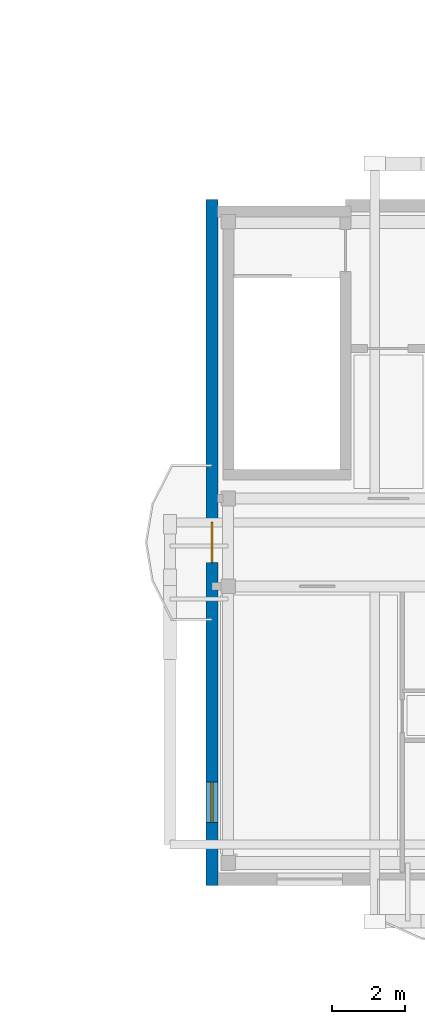
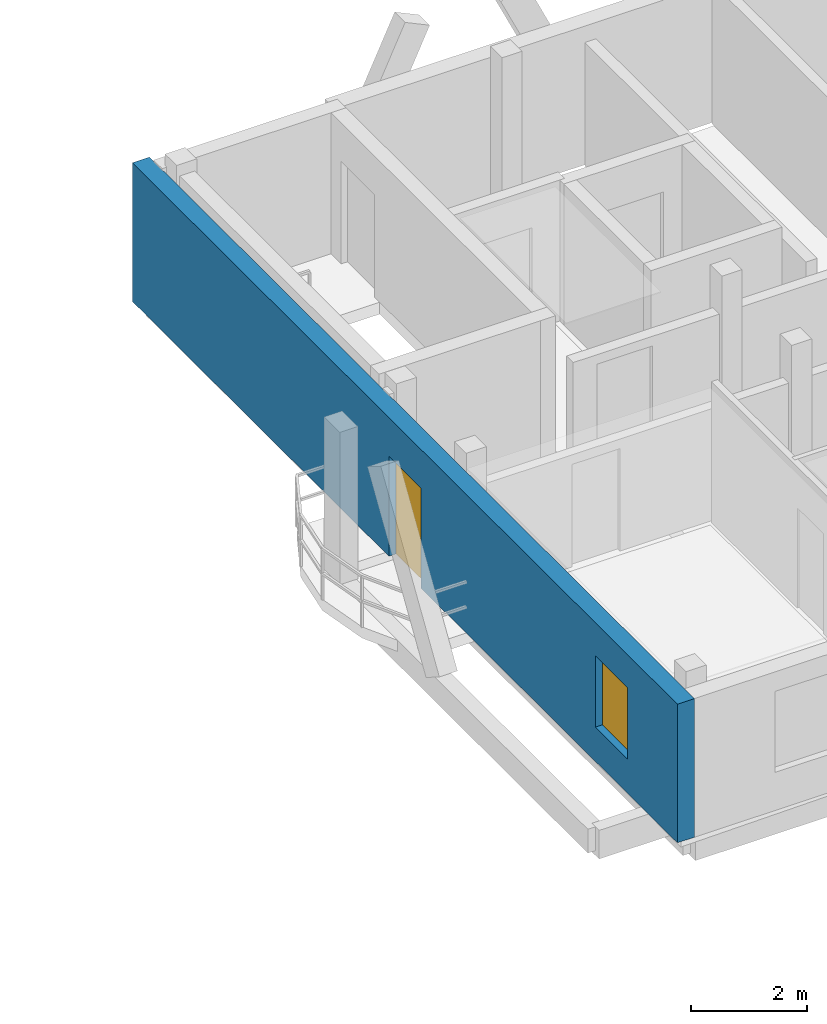
# One storey, part 18 of 41: 1 door, 1 wall, 1 window, 2 openings.
"""IFC4 building model written with IfcOpenShell, lengths in metres."""

from ifc_helpers import new_model, si_unit, direction, frame, frame_2d, origin, origin_with_axes, place, context, subcontext, project, spatial, rectangle, extrude, material, layer, layer_set, type_object, element, fill, save


model = new_model("IFC4")

# Units and contexts
model_context = context("Model", 3, precision=1e-05, world=origin(), true_north=direction((0.0, 1.0)))
body_context = subcontext(model_context, "Body", "Model", "MODEL_VIEW")
ifc_project = project(units=[si_unit("LENGTHUNIT", "METRE"), si_unit("AREAUNIT", "SQUARE_METRE"), si_unit("VOLUMEUNIT", "CUBIC_METRE"), si_unit("PLANEANGLEUNIT", "RADIAN"), si_unit("MASSUNIT", "GRAM", prefix="KILO")], contexts=[model_context])

# Site, building, storey
site_placement = place(None, origin())
site = spatial("IfcSite", under=ifc_project, at=site_placement, CompositionType="ELEMENT")
building_placement = place(site_placement, origin())
building = spatial("IfcBuilding", under=site, at=building_placement, Name="Zavelmont Quarter", CompositionType="ELEMENT")
storey_placement = place(building_placement, frame((0.0, 0.0, 27.199951171875)))
storey = spatial("IfcBuildingStorey", under=building, at=storey_placement, Name="L08", CompositionType="ELEMENT", Elevation=27.199951171875)

# Wall, openings, door, window
ifc_material_1 = material(Name="Natural Belgian limestone", Category="masonry")
ifc_layer = layer(ifc_material_1, 0.340087890625)
ifc_layer_set = layer_set([ifc_layer], Name="Natural Belgian limestone")
wall_type = type_object("IfcWallType", Name="EW03", PredefinedType="STANDARD", material=ifc_layer_set)
wall_placement = place(storey_placement, frame((126.60009765625, -0.169921875, 0.0), z_axis=(0.0, 0.0, 1.0), x_axis=(0.0, 1.0, 0.0)))
wall = element("IfcWall", 1, at=wall_placement, inside=storey, type_object=wall_type, Name="L08 exterior limestone wall EW03", PredefinedType="STANDARD", context=body_context, shape_type="SweptSolid", body=[
    extrude(rectangle(XDim=18.739990234375, YDim=0.340087890625, at=frame_2d((9.3701171875, 0.0))), origin(), (0.0, 0.0, 1.0), 2.91015625),
])
opening_1_placement = place(wall_placement, frame((8.820068359375, 0.0, 0.0)))
opening_1 = element("IfcOpeningElement", 2, at=opening_1_placement, cuts=wall, Name="Opening DR04B", PredefinedType="OPENING", context=body_context, shape_type="SweptSolid", body=[
    extrude(rectangle(XDim=1.10009765625, YDim=2.10009765625, at=frame_2d((0.550048828125, 1.050048828125))), frame((0.0, 0.18212890625, 0.0), z_axis=(0.0, -1.0, 0.0), x_axis=(1.0, 0.0, 0.0)), (0.0, 0.0, 1.0), 0.364013671875),
])
opening_2_placement = place(wall_placement, frame((1.719970703125, 0.0, 0.719970703125)))
opening_2 = element("IfcOpeningElement", 3, at=opening_2_placement, cuts=wall, Name="Opening WN09", PredefinedType="OPENING", context=body_context, shape_type="SweptSolid", body=[
    extrude(rectangle(XDim=1.10009765625, YDim=1.5, at=frame_2d((0.550048828125, 0.75))), frame((0.0, 0.18212890625, 0.0), z_axis=(0.0, -1.0, 0.0), x_axis=(1.0, 0.0, 0.0)), (0.0, 0.0, 1.0), 0.364013671875),
])
ifc_material_2 = material(Name="Thermally broken aluminium and double safety glass", Category="aluminium")
door_type = type_object("IfcDoorType", Name="DR04B", OperationType="NOTDEFINED", PredefinedType="DOOR", material=ifc_material_2)
door_placement = place(opening_1_placement, frame((1.10009765625, 0.0, 0.0), z_axis=(0.0, 0.0, 1.0), x_axis=(-1.0, 0.0, 0.0)))
door = element("IfcDoor", 4, at=door_placement, inside=storey, type_object=door_type, Name="Block D L08 terrace or vase balcony door", OperationType="SINGLE_SWING_LEFT", OverallHeight=2.10009765625, OverallWidth=1.10009765625, PredefinedType="DOOR", context=body_context, shape_type="SweptSolid", body=[
    extrude(rectangle(XDim=1.10009765625, YDim=2.10009765625, at=frame_2d((0.550048828125, 1.050048828125))), frame((0.0, 0.02490234375, 0.0), z_axis=(0.0, -1.0, 0.0), x_axis=(1.0, 0.0, 0.0)), (0.0, 0.0, 1.0), 0.050048828125),
])
fill(opening_1, door)
ifc_material_3 = material(Name="Double low-E insulated glazing in thermally broken aluminium frame", Category="aluminium")
window_type = type_object("IfcWindowType", Name="WN09", PartitioningType="SINGLE_PANEL", PredefinedType="WINDOW", material=ifc_material_3)
window_placement = place(opening_2_placement, origin_with_axes())
window = element("IfcWindow", 5, at=window_placement, inside=storey, type_object=window_type, Name="L08 window WN09", OverallHeight=1.5, OverallWidth=1.10009765625, PartitioningType="SINGLE_PANEL", PredefinedType="WINDOW", context=body_context, shape_type="SweptSolid", body=[
    extrude(rectangle(XDim=1.10009765625, YDim=1.5, at=frame_2d((0.550048828125, 0.75))), frame((0.0, 0.030029296875, 0.0), z_axis=(0.0, -1.0, 0.0), x_axis=(1.0, 0.0, 0.0)), (0.0, 0.0, 1.0), 0.06005859375),
])
fill(opening_2, window)

save(model, "model.ifc")
